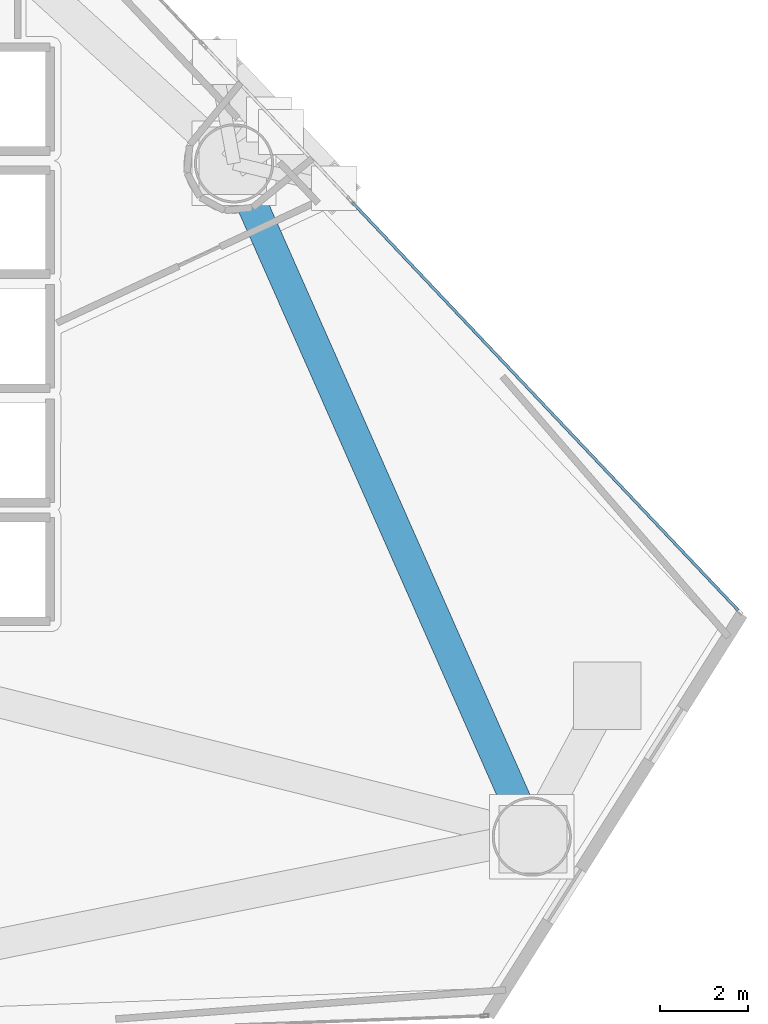
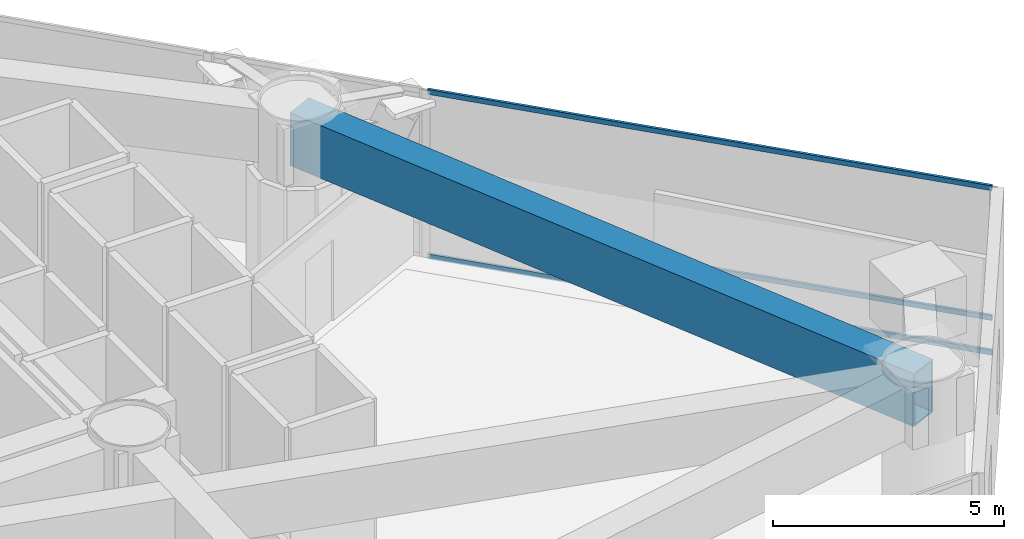
# One storey, part 13 of 22: 3 members, 1 beam, 1 element without a shape of its own.
"""IFC4 building model written with IfcOpenShell, lengths in metres."""

from ifc_helpers import new_model, si_unit, direction, frame, origin, origin_2d, place, context, subcontext, project, spatial, hollow_rectangle, extrude, material, layer, layer_set, material_profile, profile_set, type_object, element, aggregate, save


model = new_model("IFC4")

# Units and contexts
model_context = context("Model", 3, precision=1e-05, world=origin(), true_north=direction((0.0, 1.0)))
body_context = subcontext(model_context, "Body", "Model", "MODEL_VIEW")
ifc_project = project(units=[si_unit("LENGTHUNIT", "METRE"), si_unit("AREAUNIT", "SQUARE_METRE"), si_unit("VOLUMEUNIT", "CUBIC_METRE"), si_unit("PLANEANGLEUNIT", "RADIAN"), si_unit("MASSUNIT", "GRAM", prefix="KILO")], contexts=[model_context])

# Site, building, storey
site_placement = place(None, origin())
site = spatial("IfcSite", under=ifc_project, at=site_placement, CompositionType="ELEMENT")
building_placement = place(site_placement, origin())
building = spatial("IfcBuilding", under=site, at=building_placement, Name="Qianvela Tower", CompositionType="ELEMENT")
storey_placement = place(building_placement, frame((0.0, 0.0, 47.89990234375)))
storey = spatial("IfcBuildingStorey", under=building, at=storey_placement, Name="L11", CompositionType="ELEMENT", Elevation=47.89990234375)

# Beam
ifc_material_1 = material(Name="Steel Q420GJC", Category="steel")
ifc_material_profile_1 = material_profile(ifc_material_1, hollow_rectangle(XDim=0.699951171875, YDim=1.39990234375, WallThickness=0.0400390625, at=origin_2d()), Name="TG-BOX-1400x700x40")
ifc_profile_set_1 = profile_set([ifc_material_profile_1], Name="Steel Q420GJC")
beam_type = type_object("IfcBeamType", Name="BM-TG-RAD-1400", PredefinedType="BEAM", material=ifc_profile_set_1)
beam_placement = place(storey_placement, frame((54.511962890625, 17.31689453125, 3.718017578125), z_axis=(-0.404490777912, 0.914542076989, 0.0), x_axis=(-0.914542076989, -0.404490777912, 0.0)))
element("IfcBeam", 1, at=beam_placement, inside=storey, type_object=beam_type, Name="L11 Perimeter Belt-Truss Top Ring Girder 1", PredefinedType="BEAM", context=body_context, shape_type="SweptSolid", body=[
    extrude(hollow_rectangle(XDim=0.699951171875, YDim=1.39990234375, WallThickness=0.0400390625, at=origin_2d()), origin(), (0.0, 0.0, 1.0), 16.751708984375),
])

# Curtain wall, members
ifc_material_2 = material(Name="Anodised Architectural Aluminium and Low-E Glass", Category="aluminium")
ifc_layer = layer(ifc_material_2, 0.179931640625)
ifc_layer_set = layer_set([ifc_layer], Name="Anodised Architectural Aluminium and Low-E Glass")
curtain_wall_type = type_object("IfcCurtainWallType", Name="CW-COLIV-Z12", PredefinedType="USERDEFINED", material=ifc_layer_set)
curtain_wall_placement = place(storey_placement, origin())
curtain_wall = element("IfcCurtainWall", 2, at=curtain_wall_placement, inside=storey, type_object=curtain_wall_type, Name="L11 CW-COLIV-Z12 Curtain Wall 02A", ObjectType="CURTAIN_WALL_SYSTEM", PredefinedType="USERDEFINED")
ifc_material_3 = material(Name="Anodised Architectural Aluminium 6063-T6", Category="aluminium")
ifc_material_profile_2 = material_profile(ifc_material_3, hollow_rectangle(XDim=0.06494140625, YDim=0.1298828125, WallThickness=0.00439453125, at=origin_2d()), Name="ALU-TRAN-65x130")
ifc_profile_set_2 = profile_set([ifc_material_profile_2], Name="Anodised Architectural Aluminium 6063-T6")
member_type = type_object("IfcMemberType", Name="CW-COLIV-Z12-TRAN", PredefinedType="USERDEFINED", material=ifc_profile_set_2)
member_1_placement = place(storey_placement, frame((59.210693359375, 22.464111328125, 0.03271484375), z_axis=(-0.687170129236, 0.726496533705, 0.0), x_axis=(-0.726496533705, -0.687170129236, 0.0)))
member_1 = element("IfcMember", 3, at=member_1_placement, type_object=member_type, Name="CW-3 transom 1.1", ObjectType="TRANSOM", PredefinedType="USERDEFINED", context=body_context, shape_type="SweptSolid", body=[
    extrude(hollow_rectangle(XDim=0.06494140625, YDim=0.1298828125, WallThickness=0.00439453125, at=origin_2d()), origin(), (0.0, 0.0, 1.0), 12.77001953125),
])
member_2_placement = place(storey_placement, frame((59.210693359375, 22.464111328125, 0.9501953125), z_axis=(-0.687170129236, 0.726496533705, 0.0), x_axis=(-0.726496533705, -0.687170129236, 0.0)))
member_2 = element("IfcMember", 4, at=member_2_placement, type_object=member_type, Name="CW-3 transom 1.2", ObjectType="TRANSOM", PredefinedType="USERDEFINED", context=body_context, shape_type="SweptSolid", body=[
    extrude(hollow_rectangle(XDim=0.06494140625, YDim=0.1298828125, WallThickness=0.00439453125, at=origin_2d()), origin(), (0.0, 0.0, 1.0), 12.77001953125),
])
member_3_placement = place(storey_placement, frame((59.210693359375, 22.464111328125, 4.3876953125), z_axis=(-0.687170129236, 0.726496533705, 0.0), x_axis=(-0.726496533705, -0.687170129236, 0.0)))
member_3 = element("IfcMember", 5, at=member_3_placement, type_object=member_type, Name="CW-3 transom 1.3", ObjectType="TRANSOM", PredefinedType="USERDEFINED", context=body_context, shape_type="SweptSolid", body=[
    extrude(hollow_rectangle(XDim=0.06494140625, YDim=0.1298828125, WallThickness=0.00439453125, at=origin_2d()), origin(), (0.0, 0.0, 1.0), 12.77001953125),
])
aggregate(curtain_wall, [member_1, member_2, member_3])

save(model, "model.ifc")
